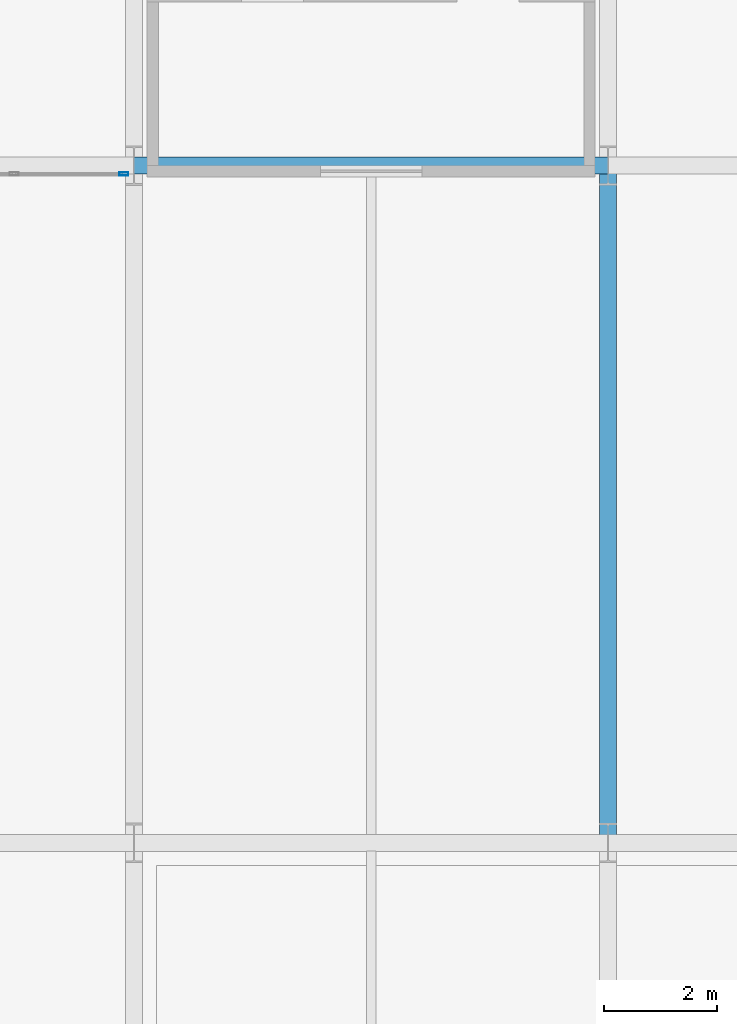
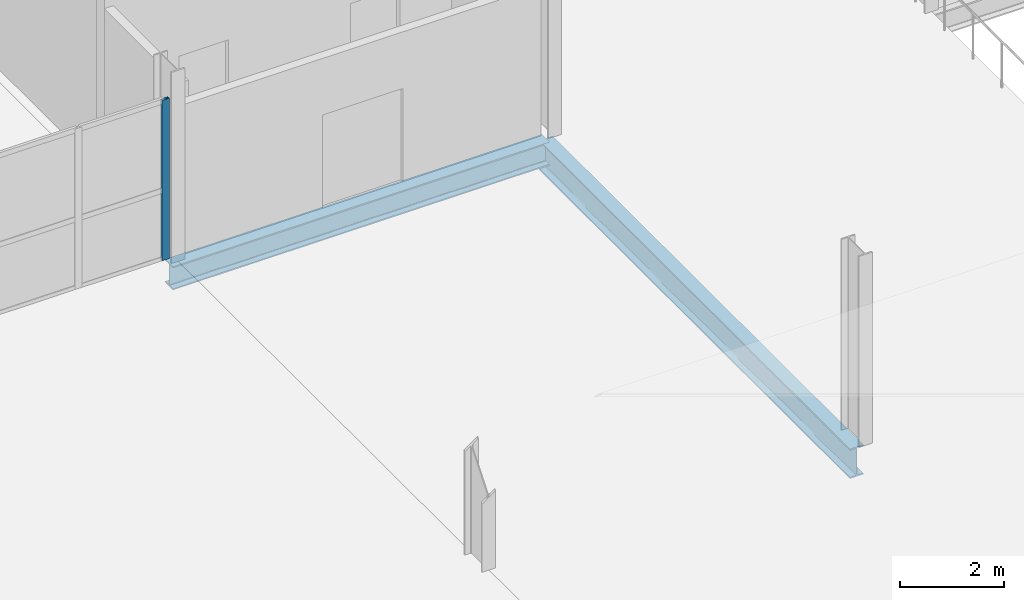
# One storey, part 24 of 113: 2 beams, 1 member, 1 element without a shape of its own.
"""IFC4 building model written with IfcOpenShell, lengths in metres."""

from ifc_helpers import new_model, si_unit, direction, frame, origin, origin_2d, place, context, subcontext, project, spatial, hollow_rectangle, i_section, extrude, material, material_profile, profile_set, type_object, element, aggregate, save


model = new_model("IFC4")

# Units and contexts
model_context = context("Model", 3, precision=1e-05, world=origin(), true_north=direction((0.0, 1.0)))
body_context = subcontext(model_context, "Body", "Model", "MODEL_VIEW")
ifc_project = project(units=[si_unit("LENGTHUNIT", "METRE"), si_unit("AREAUNIT", "SQUARE_METRE"), si_unit("VOLUMEUNIT", "CUBIC_METRE"), si_unit("PLANEANGLEUNIT", "RADIAN"), si_unit("MASSUNIT", "GRAM", prefix="KILO")], contexts=[model_context])

# Site, building, storey
site_placement = place(None, origin())
site = spatial("IfcSite", under=ifc_project, at=site_placement, CompositionType="ELEMENT")
building_placement = place(site_placement, origin())
building = spatial("IfcBuilding", under=site, at=building_placement, Name="Veltarok Museum of Natural Sciences", CompositionType="ELEMENT")
storey_placement = place(building_placement, frame((0.0, 0.0, 8.39990234375)))
storey = spatial("IfcBuildingStorey", under=building, at=storey_placement, Name="L01", CompositionType="ELEMENT", Elevation=8.39990234375)

# Curtain wall, member
ifc_material_1 = material(Name="Low-iron triple insulated glass", Category="glass")
curtain_wall_type = type_object("IfcCurtainWallType", Name="Curtain Wall System CW-PASN1-L01-2-790x378 (CW-PASN1 L01 790x378cm)", PredefinedType="NOTDEFINED", material=ifc_material_1)
curtain_wall_placement = place(storey_placement, origin())
curtain_wall = element("IfcCurtainWall", 1, at=curtain_wall_placement, inside=storey, type_object=curtain_wall_type, Name="Curtain Wall CW-PASN1-L01-2-790x378 CW-0210", PredefinedType="NOTDEFINED")
ifc_material_2 = material(Name="Thermally broken anodised aluminium", Category="aluminium")
ifc_material_profile_1 = material_profile(ifc_material_2, hollow_rectangle(XDim=0.06005859375, YDim=0.159912109375, WallThickness=0.0048828125, at=origin_2d()), Name="CW MULLION 60x160x5")
ifc_profile_set_1 = profile_set([ifc_material_profile_1], Name="Thermally broken anodised aluminium")
member_type = type_object("IfcMemberType", Name="Curtain Wall Vertical Mullion 60x160x5", PredefinedType="MULLION", material=ifc_profile_set_1)
member_placement = place(storey_placement, frame((39.820068359375, 59.85009765625, -0.001953125), z_axis=(0.0, 0.0, 1.0), x_axis=(0.0, -1.0, 0.0)))
member = element("IfcMember", 2, at=member_placement, type_object=member_type, Name="CW-PASN1-L01-2-790x378 mullion 1", PredefinedType="MULLION", context=body_context, shape_type="SweptSolid", body=[
    extrude(hollow_rectangle(XDim=0.06005859375, YDim=0.159912109375, WallThickness=0.0048828125, at=origin_2d()), origin(), (0.0, 0.0, 1.0), 3.781982421875),
])
aggregate(curtain_wall, [member])

# Beams
ifc_material_3 = material(Name="Steel S355J2", Category="steel")
ifc_material_profile_2 = material_profile(ifc_material_3, i_section(OverallWidth=0.300048828125, OverallDepth=0.550048828125, WebThickness=0.014892578125, FlangeThickness=0.029052734375, FilletRadius=0.027099609375, at=origin_2d()), Name="HEB 550")
ifc_profile_set_2 = profile_set([ifc_material_profile_2], Name="Steel S355J2")
beam_type_1 = type_object("IfcBeamType", Name="Gallery Girder HEB 550", PredefinedType="BEAM", material=ifc_profile_set_2)
beam_1_placement = place(storey_placement, frame((40.0, 60.0, -0.52490234375), z_axis=(1.0, 0.0, 0.0), x_axis=(0.0, 1.0, 0.0)))
element("IfcBeam", 3, at=beam_1_placement, inside=storey, type_object=beam_type_1, Name="Beam BM-G10 L01 5-6/G", PredefinedType="BEAM", context=body_context, shape_type="SweptSolid", body=[
    extrude(i_section(OverallWidth=0.300048828125, OverallDepth=0.550048828125, WebThickness=0.014892578125, FlangeThickness=0.029052734375, FilletRadius=0.027099609375, at=origin_2d()), origin(), (0.0, 0.0, 1.0), 8.39990234375),
])
ifc_material_profile_3 = material_profile(ifc_material_3, i_section(OverallWidth=0.300048828125, OverallDepth=0.699951171875, WebThickness=0.01708984375, FlangeThickness=0.031982421875, FilletRadius=0.027099609375, at=origin_2d()), Name="HEB 700")
ifc_profile_set_3 = profile_set([ifc_material_profile_3], Name="Steel S355J2")
beam_type_2 = type_object("IfcBeamType", Name="Long-Span Hall Girder HEB 700", PredefinedType="BEAM", material=ifc_profile_set_3)
beam_2_placement = place(storey_placement, frame((48.39990234375, 48.0, -0.599853515625), z_axis=(0.0, 1.0, 0.0), x_axis=(-1.0, 0.0, 0.0)))
element("IfcBeam", 4, at=beam_2_placement, inside=storey, type_object=beam_type_2, Name="Beam BM-G01 L01 6/F-G", PredefinedType="BEAM", context=body_context, shape_type="SweptSolid", body=[
    extrude(i_section(OverallWidth=0.300048828125, OverallDepth=0.699951171875, WebThickness=0.01708984375, FlangeThickness=0.031982421875, FilletRadius=0.027099609375, at=origin_2d()), origin(), (0.0, 0.0, 1.0), 12.0),
])

save(model, "model.ifc")
